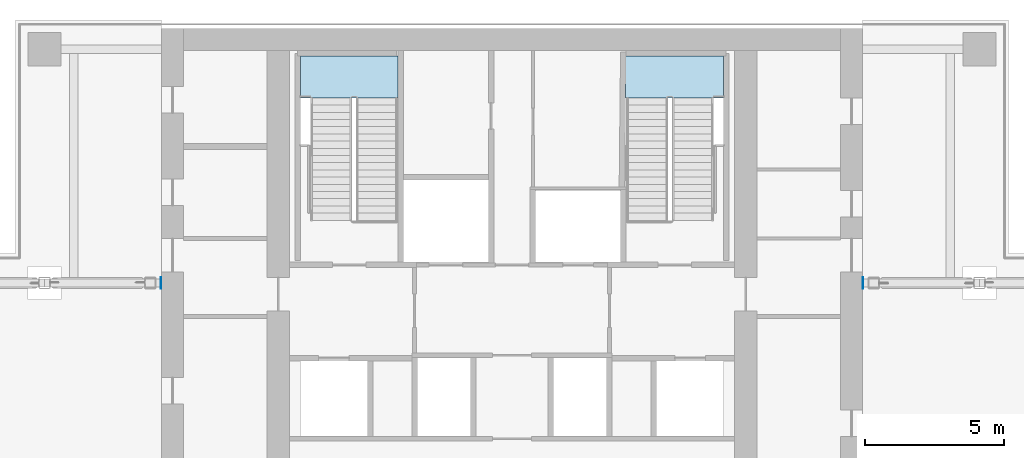
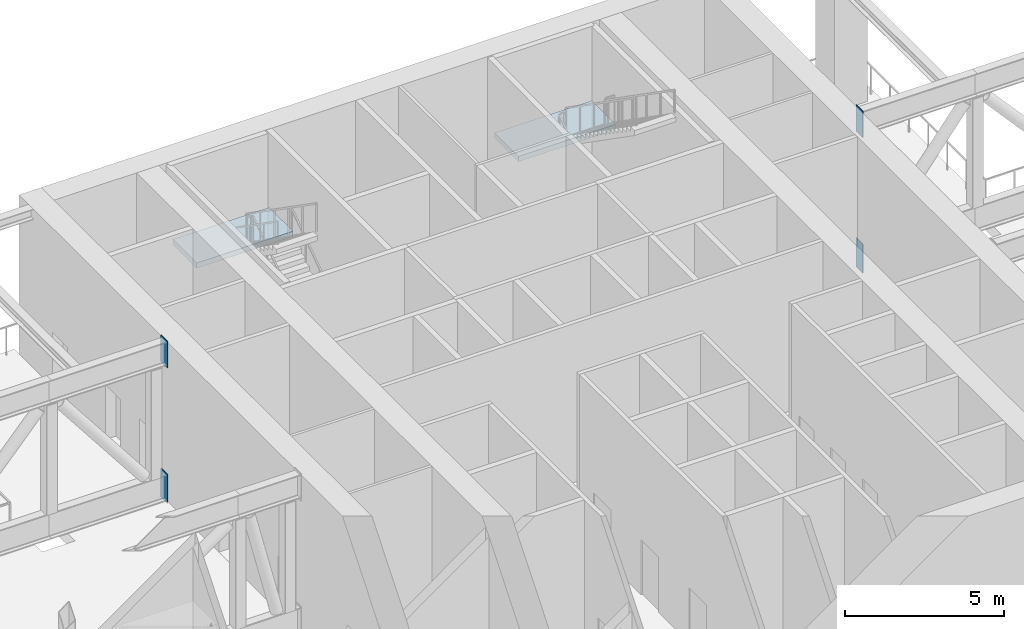
# One storey, part 9 of 23: 4 plates, 2 slabs, 2 elements without a shape of their own.
"""IFC4 building model written with IfcOpenShell, lengths in metres."""

import ifcopenshell
import ifcopenshell.guid

model = None  # the IFC model being written
_history = None  # IfcOwnerHistory: only IFC2X3 demands one
_inside = {}  # id of a spatial element -> (the spatial element, [elements in it])
_under = {}  # id of a project, library or spatial element -> (it, [spatial elements below it])
_declared = {}  # id of a project -> (the project, [libraries it declares])
_typed = {}  # id of a type object -> (the type object, [elements of that type])
_made_of = {}  # id of a material, layer set ... -> (it, [elements and type objects made of it])


def new_model(schema):
    """Start an empty IFC model of exactly this schema.

    Asked for "IFC4X3", IfcOpenShell would pick the latest addendum, in which some entities
    have other attributes; the version numbers below select the first issue.
    IFC2X3 requires an IfcOwnerHistory on every rooted entity: one is made here for all.
    """
    global model, _history
    if schema == "IFC4X3":
        model = ifcopenshell.file(schema_version=(4, 3, 0, 0))
    else:
        model = ifcopenshell.file(schema=schema)
    _inside.clear()
    _under.clear()
    _declared.clear()
    _typed.clear()
    _made_of.clear()
    _history = None
    if model.schema == "IFC2X3":
        org = make("IfcOrganization", Name="unknown")
        user = make(
            "IfcPersonAndOrganization",
            ThePerson=make("IfcPerson", FamilyName="unknown"),
            TheOrganization=org,
        )
        app = make(
            "IfcApplication",
            ApplicationDeveloper=org,
            Version="unknown",
            ApplicationFullName="unknown",
            ApplicationIdentifier="unknown",
        )
        _history = make(
            "IfcOwnerHistory",
            OwningUser=user,
            OwningApplication=app,
            ChangeAction="ADDED",
            CreationDate=0,
        )
    return model


def make(cls, **values):
    """One entity of the class cls with the attributes given. An attribute that is None is left unset."""
    return model.create_entity(
        cls, **{name: value for name, value in values.items() if value is not None}
    )


def rooted(cls, **values):
    """An entity with a GlobalId (a new one), such as an element, a storey or a relation."""
    return make(cls, GlobalId=ifcopenshell.guid.new(), OwnerHistory=_history, **values)


def si_unit(unit_type, name, prefix=None):
    """IfcSIUnit, for example si_unit("LENGTHUNIT", "METRE", prefix="MILLI")."""
    return make("IfcSIUnit", UnitType=unit_type, Prefix=prefix, Name=name)


def assignment(units):
    """IfcUnitAssignment: the units of a project."""
    return None if units is None else make("IfcUnitAssignment", Units=units)


def point(xyz):
    """IfcCartesianPoint."""
    return None if xyz is None else make("IfcCartesianPoint", Coordinates=xyz)


def direction(xyz):
    """IfcDirection."""
    return None if xyz is None else make("IfcDirection", DirectionRatios=xyz)


def frame(location, z_axis=None, x_axis=None):
    """IfcAxis2Placement3D, a coordinate frame: its origin and axes. An axis left out is left unset."""
    return make(
        "IfcAxis2Placement3D",
        Location=point(location),
        Axis=direction(z_axis),
        RefDirection=direction(x_axis),
    )


def frame_2d(location, x_axis=None):
    """IfcAxis2Placement2D, a coordinate frame in the plane: its origin and x axis."""
    return make(
        "IfcAxis2Placement2D", Location=point(location), RefDirection=direction(x_axis)
    )


def origin():
    """The frame at (0, 0, 0) with its axes left unset."""
    return frame((0.0, 0.0, 0.0))


def origin_2d():
    """The frame at (0, 0) in the plane with its x axis left unset."""
    return frame_2d((0.0, 0.0))


def place(relative_to, where):
    """IfcLocalPlacement: puts the frame where relative to a parent placement (None: the world)."""
    return make(
        "IfcLocalPlacement", PlacementRelTo=relative_to, RelativePlacement=where
    )


def context(
    kind, dimensions, precision=None, world=None, true_north=None, identifier=None
):
    """IfcGeometricRepresentationContext, for example the 3D "Model" context."""
    return make(
        "IfcGeometricRepresentationContext",
        ContextIdentifier=identifier,
        ContextType=kind,
        CoordinateSpaceDimension=dimensions,
        Precision=precision,
        WorldCoordinateSystem=world,
        TrueNorth=true_north,
    )


def subcontext(parent, identifier, kind, view, scale=None):
    """IfcGeometricRepresentationSubContext, for example "Body" below "Model"."""
    return make(
        "IfcGeometricRepresentationSubContext",
        ContextIdentifier=identifier,
        ContextType=kind,
        ParentContext=parent,
        TargetScale=scale,
        TargetView=view,
    )


def project(units=None, contexts=None):
    """IfcProject with its units and contexts."""
    return rooted(
        "IfcProject",
        Name="project",
        RepresentationContexts=contexts,
        UnitsInContext=assignment(units),
    )


def spatial(cls, under=None, at=None, **own):
    """A site, building, storey or space (cls), placed at a placement, below another one or the project."""
    s = rooted(cls, ObjectPlacement=at, **own)
    if under is not None:
        _under.setdefault(under.id(), (under, []))[1].append(s)
    return s


def polyline(points):
    """IfcPolyline through the points."""
    return make("IfcPolyline", Points=[point(p) for p in points])


def profile(cls, at=None, kind="AREA", **sizes):
    """A parametric profile (cls). Its sizes go by their IFC names, for example OverallWidth=200.0."""
    return make(cls, ProfileType=kind, Position=at, **sizes)


def rectangle(**sizes):
    """IfcRectangleProfileDef."""
    return profile("IfcRectangleProfileDef", **sizes)


def outline(outer, holes=None, kind="AREA"):
    """IfcArbitraryClosedProfileDef: a profile drawn as a closed curve; with holes, ...WithVoids."""
    if holes is None:
        return make("IfcArbitraryClosedProfileDef", ProfileType=kind, OuterCurve=outer)
    return make(
        "IfcArbitraryProfileDefWithVoids",
        ProfileType=kind,
        OuterCurve=outer,
        InnerCurves=holes,
    )


def extrude(swept, where, along, depth):
    """IfcExtrudedAreaSolid: the profile swept, set in the frame where, extruded along a direction by depth."""
    return make(
        "IfcExtrudedAreaSolid",
        SweptArea=swept,
        Position=where,
        ExtrudedDirection=direction(along),
        Depth=depth,
    )


def shape(context_of_items, identifier, shape_type, items):
    """IfcShapeRepresentation: the items that make up one representation, for example the "Body"."""
    return make(
        "IfcShapeRepresentation",
        ContextOfItems=context_of_items,
        RepresentationIdentifier=identifier,
        RepresentationType=shape_type,
        Items=items,
    )


def material(Name=None, Category=None):
    """IfcMaterial."""
    return make("IfcMaterial", Name=Name, Category=Category)


def layer(
    of_material, thickness, ventilated=None, Name=None, Category=None, Priority=None
):
    """IfcMaterialLayer: one layer of a wall or slab, of a material (None: an air gap)."""
    return make(
        "IfcMaterialLayer",
        Material=of_material,
        LayerThickness=thickness,
        IsVentilated=ventilated,
        Name=Name,
        Category=Category,
        Priority=Priority,
    )


def layer_set(layers, Name=None):
    """IfcMaterialLayerSet."""
    return make("IfcMaterialLayerSet", MaterialLayers=layers, LayerSetName=Name)


def made_of(thing, what):
    """Note that an element or type object is made of a material, layer set ...; save() writes the relation."""
    if what is not None:
        _made_of.setdefault(what.id(), (what, []))[1].append(thing)
    return thing


def type_object(cls, material=None, **own):
    """A type object (cls), such as IfcWallType, which elements share."""
    return made_of(rooted(cls, **own), material)


def element(
    cls,
    number,
    at=None,
    inside=None,
    cuts=None,
    type_object=None,
    material=None,
    context=None,
    identifier="Body",
    shape_type=None,
    held_by="IfcProductDefinitionShape",
    body=None,
    shapes=None,
    **own,
):
    """One element of the class cls, such as IfcWall. Its Tag is "e" and its number.

    at: its placement. inside: the storey or other place that contains it. cuts: it is an
    opening in that element (IfcRelVoidsElement). A single representation is given by context,
    identifier, shape_type and body (its items); several are given by shapes. held_by: the class
    of the entity that holds the representations. save() writes the other relations.
    """
    e = rooted(cls, Tag="e%d" % number, ObjectPlacement=at, **own)
    if body is not None:
        shapes = [shape(context, identifier, shape_type, body)]
    if shapes is not None:
        e.Representation = make(held_by, Representations=shapes)
    if inside is not None:
        _inside.setdefault(inside.id(), (inside, []))[1].append(e)
    if cuts is not None:
        rooted(
            "IfcRelVoidsElement", RelatingBuildingElement=cuts, RelatedOpeningElement=e
        )
    if type_object is not None:
        _typed.setdefault(type_object.id(), (type_object, []))[1].append(e)
    return made_of(e, material)


def aggregate(whole, parts):
    """IfcRelAggregates: a whole, such as a stair, and the parts it consists of."""
    return rooted("IfcRelAggregates", RelatingObject=whole, RelatedObjects=parts)


def save(model, path):
    """Write the relations noted so far, then the file.

    IfcRelAggregates (storeys below a building ...), IfcRelContainedInSpatialStructure (elements
    in a storey), IfcRelDefinesByType, IfcRelAssociatesMaterial and IfcRelDeclares: one each for
    every whole, place, type object, material and project.
    """
    for whole, parts in _under.values():
        aggregate(whole, parts)
    for where, things in _inside.values():
        rooted(
            "IfcRelContainedInSpatialStructure",
            RelatedElements=things,
            RelatingStructure=where,
        )
    for kind, things in _typed.values():
        rooted("IfcRelDefinesByType", RelatedObjects=things, RelatingType=kind)
    for what, things in _made_of.values():
        rooted("IfcRelAssociatesMaterial", RelatedObjects=things, RelatingMaterial=what)
    for by, libraries in _declared.values():
        rooted("IfcRelDeclares", RelatingContext=by, RelatedDefinitions=libraries)
    model.write(path)


model = new_model("IFC4")

# Units and contexts
model_context = context("Model", 3, precision=1e-05, world=origin(), true_north=direction((0.0, 1.0)))
body_context = subcontext(model_context, "Body", "Model", "MODEL_VIEW")
ifc_project = project(units=[si_unit("LENGTHUNIT", "METRE"), si_unit("AREAUNIT", "SQUARE_METRE"), si_unit("VOLUMEUNIT", "CUBIC_METRE"), si_unit("PLANEANGLEUNIT", "RADIAN"), si_unit("MASSUNIT", "GRAM", prefix="KILO")], contexts=[model_context])

# Site, building, storey
site_placement = place(None, origin())
site = spatial("IfcSite", under=ifc_project, at=site_placement, CompositionType="ELEMENT")
building_placement = place(site_placement, origin())
building = spatial("IfcBuilding", under=site, at=building_placement, Name="Vermilion Ogive Tower", CompositionType="ELEMENT")
storey_placement = place(building_placement, frame((0.0, 0.0, 121.800048828125)))
storey = spatial("IfcBuildingStorey", under=building, at=storey_placement, Name="L31", CompositionType="ELEMENT", Elevation=121.800048828125)

# Plates
ifc_material_1 = material(Name="Steel S355", Category="steel")
ifc_layer_1 = layer(ifc_material_1, 0.030029296875)
ifc_layer_set_1 = layer_set([ifc_layer_1], Name="Cast-in embed plate 30")
plate_type = type_object("IfcPlateType", Name="Cast-in embed plate 30", PredefinedType="USERDEFINED", material=ifc_layer_set_1)
plate_1_placement = place(storey_placement, frame((12.614990234375, 12.60009765625, -0.06005859375), z_axis=(0.0, 0.0, 1.0), x_axis=(1.0, 0.0, 0.0)))
element("IfcPlate", 1, at=plate_1_placement, inside=storey, type_object=plate_type, Name="Cast-in embed plate L31-TR-EWE+12.6-B1 end 1", ObjectType="EMBED PLATE", PredefinedType="USERDEFINED", context=body_context, shape_type="SweptSolid", body=[
    extrude(rectangle(XDim=0.030029296875, YDim=0.419921875, at=origin_2d()), origin(), (0.0, 0.0, 1.0), 1.1201171875),
])
plate_2_placement = place(storey_placement, frame((12.614990234375, 12.60009765625, 5.139892578125), z_axis=(0.0, 0.0, 1.0), x_axis=(1.0, 0.0, 0.0)))
element("IfcPlate", 2, at=plate_2_placement, inside=storey, type_object=plate_type, Name="Cast-in embed plate L31-TR-EWE+12.6-T3 end 1", ObjectType="EMBED PLATE", PredefinedType="USERDEFINED", context=body_context, shape_type="SweptSolid", body=[
    extrude(rectangle(XDim=0.030029296875, YDim=0.419921875, at=origin_2d()), origin(), (0.0, 0.0, 1.0), 1.02001953125),
])
plate_3_placement = place(storey_placement, frame((-12.614990234375, 12.60009765625, -0.06005859375), z_axis=(0.0, 0.0, 1.0), x_axis=(1.0, 0.0, 0.0)))
element("IfcPlate", 3, at=plate_3_placement, inside=storey, type_object=plate_type, Name="Cast-in embed plate L31-TR-EWW+12.6-B1 end 1", ObjectType="EMBED PLATE", PredefinedType="USERDEFINED", context=body_context, shape_type="SweptSolid", body=[
    extrude(rectangle(XDim=0.030029296875, YDim=0.419921875, at=origin_2d()), origin(), (0.0, 0.0, 1.0), 1.1201171875),
])
plate_4_placement = place(storey_placement, frame((-12.614990234375, 12.60009765625, 5.139892578125), z_axis=(0.0, 0.0, 1.0), x_axis=(1.0, 0.0, 0.0)))
element("IfcPlate", 4, at=plate_4_placement, inside=storey, type_object=plate_type, Name="Cast-in embed plate L31-TR-EWW+12.6-T3 end 1", ObjectType="EMBED PLATE", PredefinedType="USERDEFINED", context=body_context, shape_type="SweptSolid", body=[
    extrude(rectangle(XDim=0.030029296875, YDim=0.419921875, at=origin_2d()), origin(), (0.0, 0.0, 1.0), 1.02001953125),
])

# Stair, slab
ifc_material_2 = material(Name="Concrete B40", Category="concrete")
stair_type = type_object("IfcStairType", Name="Exit stair 1500", PredefinedType="HALF_TURN_STAIR", material=ifc_material_2)
stair_1_placement = place(storey_placement, origin())
stair_1 = element("IfcStair", 5, at=stair_1_placement, inside=storey, type_object=stair_type, Name="L31 Exit Stair ST1", PredefinedType="HALF_TURN_STAIR")
ifc_material_3 = material(Name="Concrete B40", Category="concrete")
ifc_layer_2 = layer(ifc_material_3, 0.199951171875)
ifc_layer_set_2 = layer_set([ifc_layer_2], Name="Stair landing 200")
slab_type = type_object("IfcSlabType", Name="Stair landing 200", PredefinedType="LANDING", material=ifc_layer_set_2)
slab_1_placement = place(storey_placement, frame((0.0, 0.0, 3.050048828125)))
slab_1 = element("IfcSlab", 6, at=slab_1_placement, type_object=slab_type, Name="ST1 landing 1", PredefinedType="LANDING", context=body_context, shape_type="SweptSolid", body=[
    extrude(outline(polyline([(-7.60009765625, 19.25), (-7.25, 19.25), (-7.25, 19.248046875), (-5.75, 19.248046875), (-5.75, 19.25), (-5.60009765625, 19.25), (-5.60009765625, 19.248046875), (-4.10009765625, 19.248046875), (-4.10009765625, 20.75), (-7.60009765625, 20.75), (-7.60009765625, 19.25)])), origin(), (0.0, 0.0, 1.0), 0.199951171875),
])
aggregate(stair_1, [slab_1])

stair_2_placement = place(storey_placement, origin())
stair_2 = element("IfcStair", 7, at=stair_2_placement, inside=storey, type_object=stair_type, Name="L31 Exit Stair ST2", PredefinedType="HALF_TURN_STAIR")
slab_2_placement = place(storey_placement, frame((0.0, 0.0, 3.050048828125)))
slab_2 = element("IfcSlab", 8, at=slab_2_placement, type_object=slab_type, Name="ST2 landing 1", PredefinedType="LANDING", context=body_context, shape_type="SweptSolid", body=[
    extrude(outline(polyline([(5.60009765625, 19.25), (5.75, 19.25), (5.75, 19.248046875), (7.25, 19.248046875), (7.25, 19.25), (7.60009765625, 19.25), (7.60009765625, 20.75), (4.074951171875, 20.75), (4.074951171875, 19.25), (4.10009765625, 19.25), (4.10009765625, 19.248046875), (5.60009765625, 19.248046875), (5.60009765625, 19.25)])), origin(), (0.0, 0.0, 1.0), 0.199951171875),
])
aggregate(stair_2, [slab_2])

save(model, "model.ifc")
